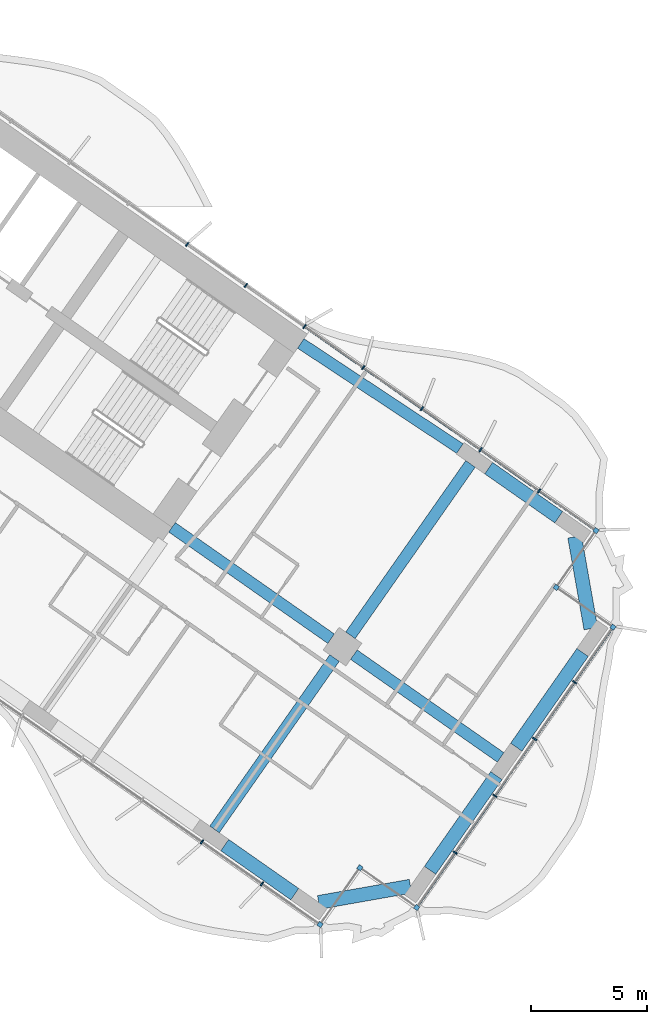
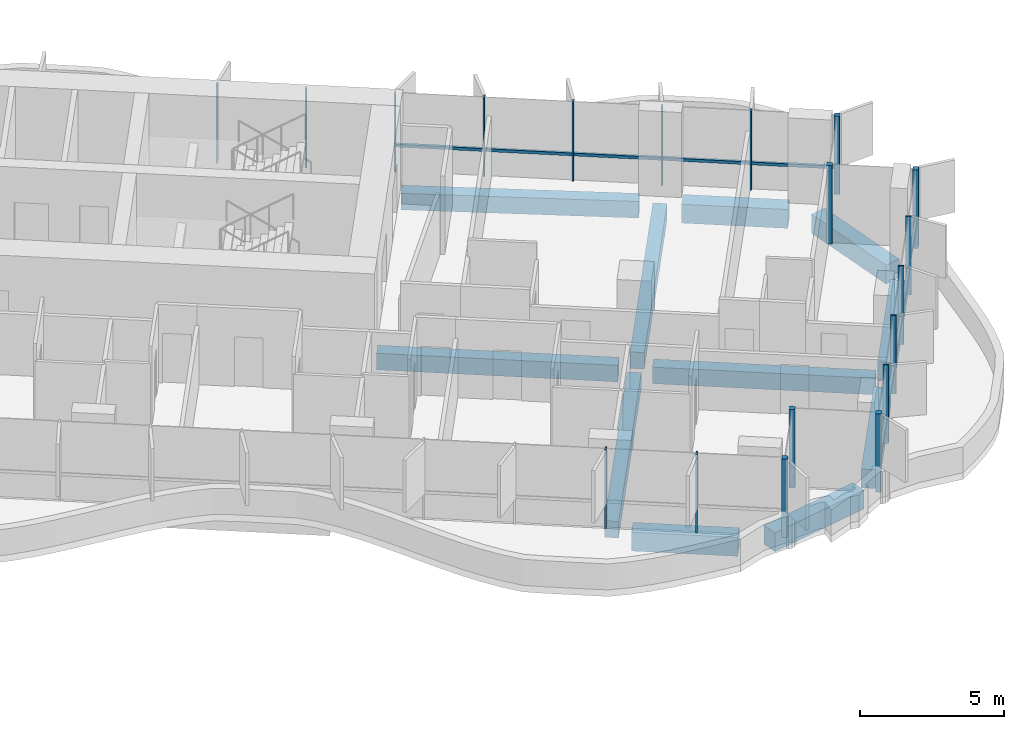
# One storey, part 9 of 25: 21 members, 11 beams, 2 elements without a shape of their own.
"""IFC4 building model written with IfcOpenShell, lengths in metres."""

from ifc_helpers import new_model, si_unit, direction, frame, origin, origin_2d, place, context, subcontext, project, spatial, rectangle, extrude, material, material_profile, profile_set, type_object, element, aggregate, save


model = new_model("IFC4")

# Units and contexts
model_context = context("Model", 3, precision=1e-05, world=origin(), true_north=direction((0.0, 1.0)))
body_context = subcontext(model_context, "Body", "Model", "MODEL_VIEW")
ifc_project = project(units=[si_unit("LENGTHUNIT", "METRE"), si_unit("AREAUNIT", "SQUARE_METRE"), si_unit("VOLUMEUNIT", "CUBIC_METRE"), si_unit("PLANEANGLEUNIT", "RADIAN"), si_unit("MASSUNIT", "GRAM", prefix="KILO")], contexts=[model_context])

# Site, building, storey
site_placement = place(None, origin())
site = spatial("IfcSite", under=ifc_project, at=site_placement, CompositionType="ELEMENT")
building_placement = place(site_placement, origin())
building = spatial("IfcBuilding", under=site, at=building_placement, Name="Tel Ilan Convention Tower", CompositionType="ELEMENT")
storey_placement = place(building_placement, frame((0.0, 0.0, 97.699951171875)))
storey = spatial("IfcBuildingStorey", under=building, at=storey_placement, Name="L20", CompositionType="ELEMENT", Elevation=97.699951171875)

# Beams
ifc_material_1 = material(Name="Concrete C40/50", Category="concrete")
ifc_material_profile_1 = material_profile(ifc_material_1, rectangle(XDim=0.5, YDim=0.699951171875, at=origin_2d()), Name="RC 500x700")
ifc_profile_set_1 = profile_set([ifc_material_profile_1], Name="Concrete C40/50")
beam_type_1 = type_object("IfcBeamType", Name="Beam RC 500x700 Concrete C40/50", PredefinedType="BEAM", material=ifc_profile_set_1)
beam_1_placement = place(storey_placement, frame((34.570556640625, -12.08447265625, -0.6298828125), z_axis=(-0.834273603487, 0.551350663847, 0.0), x_axis=(-0.551350663847, -0.834273603487, 0.0)))
element("IfcBeam", 1, at=beam_1_placement, inside=storey, type_object=beam_type_1, Name="L20 beam E-E-B4-core", PredefinedType="BEAM", context=body_context, shape_type="SweptSolid", body=[
    extrude(rectangle(XDim=0.5, YDim=0.699951171875, at=origin_2d()), origin(), (0.0, 0.0, 1.0), 8.2529296875),
])
beam_2_placement = place(storey_placement, frame((22.1171875, -15.486572265625, -0.6298828125), z_axis=(0.819147254605, -0.573583276668, 0.0), x_axis=(0.573583276668, 0.819147254605, 0.0)))
element("IfcBeam", 2, at=beam_2_placement, inside=storey, type_object=beam_type_1, Name="L20 beam E-core-E-M4", PredefinedType="BEAM", context=body_context, shape_type="SweptSolid", body=[
    extrude(rectangle(XDim=0.5, YDim=0.699951171875, at=origin_2d()), origin(), (0.0, 0.0, 1.0), 8.400146484375),
])
beam_3_placement = place(storey_placement, frame((29.98095703125, -20.992919921875, -0.6298828125), z_axis=(0.819159394801, -0.573565938589, 0.0), x_axis=(0.573565938589, 0.819159394801, 0.0)))
element("IfcBeam", 3, at=beam_3_placement, inside=storey, type_object=beam_type_1, Name="L20 beam E-E-M4-end", PredefinedType="BEAM", context=body_context, shape_type="SweptSolid", body=[
    extrude(rectangle(XDim=0.5, YDim=0.699951171875, at=origin_2d()), origin(), (0.0, 0.0, 1.0), 7.75),
])
for number, where, z_axis, x_axis, name in (
    (4, (29.145263671875, -21.14013671875, -0.6298828125), (-0.573549245583, -0.819171082798, 0.0), (0.819171082798, -0.573549245583, 0.0), "L20 beam E-E-M4-E-F4"),
    (5, (29.83349609375, -20.1572265625, -0.6298828125), (0.57358002233, 0.819149533348, 0.0), (-0.819149533348, 0.57358002233, 0.0), "L20 beam E-E-M4-E-B4"),
):
    element("IfcBeam", number, at=place(storey_placement, frame(where, z_axis=z_axis, x_axis=x_axis)), inside=storey, type_object=beam_type_1, Name=name, PredefinedType="BEAM", context=body_context, shape_type="SweptSolid", body=[
        extrude(rectangle(XDim=0.5, YDim=0.699951171875, at=origin_2d()), origin(), (0.0, 0.0, 1.0), 9.050048828125),
    ])
ifc_material_2 = material(Name="Concrete C40/50", Category="concrete")
ifc_material_profile_2 = material_profile(ifc_material_2, rectangle(XDim=0.60009765625, YDim=0.800048828125, at=origin_2d()), Name="RC 600x800")
ifc_profile_set_2 = profile_set([ifc_material_profile_2], Name="Concrete C40/50")
beam_type_2 = type_object("IfcBeamType", Name="Beam RC 600x800 Concrete C40/50", PredefinedType="BEAM", material=ifc_profile_set_2)
beam_4_placement = place(storey_placement, frame((24.396728515625, -29.2294921875, -0.679931640625), z_axis=(0.819132709951, -0.573604047656, 0.0), x_axis=(0.573604047656, 0.819132709951, 0.0)))
element("IfcBeam", 6, at=beam_4_placement, inside=storey, type_object=beam_type_2, Name="L20 beam E-E-F4-E-FC", PredefinedType="BEAM", context=body_context, shape_type="SweptSolid", body=[
    extrude(rectangle(XDim=0.60009765625, YDim=0.800048828125, at=origin_2d()), origin(), (0.0, 0.0, 1.0), 3.699951171875),
])
beam_5_placement = place(storey_placement, frame((28.459716796875, -31.708251953125, -0.679931640625), z_axis=(0.984806721117, 0.173654029734, 0.0), x_axis=(-0.173654029734, 0.984806721117, 0.0)))
element("IfcBeam", 7, at=beam_5_placement, inside=storey, type_object=beam_type_2, Name="L20 beam E-E-FC-E-E1", PredefinedType="BEAM", context=body_context, shape_type="SweptSolid", body=[
    extrude(rectangle(XDim=0.60009765625, YDim=0.800048828125, at=origin_2d()), origin(), (0.0, 0.0, 1.0), 4.03076171875),
])
for number, where, z_axis, x_axis, name in (
    (8, (33.277099609375, -30.3203125, -0.679931640625), (0.573586866468, 0.819144740944, 0.0), (-0.819144740944, 0.573586866468, 0.0), "L20 beam E-E-E1-E-E2"),
    (9, (37.00537109375, -24.995849609375, -0.679931640625), (0.573586866468, 0.819144740944, 0.0), (-0.819144740944, 0.573586866468, 0.0), "L20 beam E-E-E2-E-E3"),
):
    element("IfcBeam", number, at=place(storey_placement, frame(where, z_axis=z_axis, x_axis=x_axis)), inside=storey, type_object=beam_type_2, Name=name, PredefinedType="BEAM", context=body_context, shape_type="SweptSolid", body=[
        extrude(rectangle(XDim=0.60009765625, YDim=0.800048828125, at=origin_2d()), origin(), (0.0, 0.0, 1.0), 5.0),
    ])
beam_6_placement = place(storey_placement, frame((40.229736328125, -19.867919921875, -0.679931640625), z_axis=(-0.173664388751, 0.984804894423, 0.0), x_axis=(-0.984804894423, -0.173664388751, 0.0)))
element("IfcBeam", 10, at=beam_6_placement, inside=storey, type_object=beam_type_2, Name="L20 beam E-E-E3-E-BC", PredefinedType="BEAM", context=body_context, shape_type="SweptSolid", body=[
    extrude(rectangle(XDim=0.60009765625, YDim=0.800048828125, at=origin_2d()), origin(), (0.0, 0.0, 1.0), 4.030517578125),
])
beam_7_placement = place(storey_placement, frame((38.841796875, -15.050537109375, -0.679931640625), z_axis=(-0.819185419371, 0.573528768842, 0.0), x_axis=(-0.573528768842, -0.819185419371, 0.0)))
element("IfcBeam", 11, at=beam_7_placement, inside=storey, type_object=beam_type_2, Name="L20 beam E-E-BC-E-B4", PredefinedType="BEAM", context=body_context, shape_type="SweptSolid", body=[
    extrude(rectangle(XDim=0.60009765625, YDim=0.800048828125, at=origin_2d()), origin(), (0.0, 0.0, 1.0), 3.699951171875),
])

# Curtain wall, members
ifc_material_3 = material(Name="Aluminium, bronze anodised", Category="aluminium")
curtain_wall_type_1 = type_object("IfcCurtainWallType", Name="CW1 UNITISED CURTAIN WALL, HOTEL TINTED GLASS", PredefinedType="NOTDEFINED", material=ifc_material_3)
curtain_wall_1_placement = place(storey_placement, origin())
curtain_wall_1 = element("IfcCurtainWall", 12, at=curtain_wall_1_placement, inside=storey, type_object=curtain_wall_type_1, Name="Curtain wall CW1-18.06", PredefinedType="NOTDEFINED")
ifc_material_4 = material(Name="Aluminium, bronze anodised", Category="aluminium")
ifc_material_profile_3 = material_profile(ifc_material_4, rectangle(XDim=0.199951171875, YDim=0.199951171875, at=origin_2d()), Name="CW CORNER MULLION 200x200")
ifc_profile_set_3 = profile_set([ifc_material_profile_3], Name="Aluminium, bronze anodised")
member_type_1 = type_object("IfcMemberType", Name="CW CORNER MULLION 200x200", PredefinedType="MULLION", material=ifc_profile_set_3)
member_1_placement = place(storey_placement, frame((28.52099609375, -32.666748046875, 0.0), z_axis=(0.0, 0.0, 1.0), x_axis=(0.819152044289, -0.573576436351, 0.0)))
member_1 = element("IfcMember", 13, at=member_1_placement, type_object=member_type_1, Name="Corner mullion", PredefinedType="MULLION", context=body_context, shape_type="SweptSolid", body=[
    extrude(rectangle(XDim=0.199951171875, YDim=0.199951171875, at=origin_2d()), origin(), (0.0, 0.0, 1.0), 3.320068359375),
])
member_2_placement = place(storey_placement, frame((30.241943359375, -30.209228515625, 0.0), z_axis=(0.0, 0.0, 1.0), x_axis=(0.573576436351, 0.819152044289, 0.0)))
member_2 = element("IfcMember", 14, at=member_2_placement, type_object=member_type_1, Name="Corner mullion", PredefinedType="MULLION", context=body_context, shape_type="SweptSolid", body=[
    extrude(rectangle(XDim=0.199951171875, YDim=0.199951171875, at=origin_2d()), origin(), (0.0, 0.0, 1.0), 3.320068359375),
])
member_3_placement = place(storey_placement, frame((32.69921875, -31.929931640625, 0.0), z_axis=(0.0, 0.0, 1.0), x_axis=(0.819152044289, -0.573576436351, 0.0)))
member_3 = element("IfcMember", 15, at=member_3_placement, type_object=member_type_1, Name="Corner mullion", PredefinedType="MULLION", context=body_context, shape_type="SweptSolid", body=[
    extrude(rectangle(XDim=0.199951171875, YDim=0.199951171875, at=origin_2d()), origin(), (0.0, 0.0, 1.0), 3.320068359375),
])
member_4_placement = place(storey_placement, frame((41.188232421875, -19.806640625, 0.0), z_axis=(0.0, 0.0, 1.0), x_axis=(0.573576436351, 0.819152044289, 0.0)))
member_4 = element("IfcMember", 16, at=member_4_placement, type_object=member_type_1, Name="Corner mullion", PredefinedType="MULLION", context=body_context, shape_type="SweptSolid", body=[
    extrude(rectangle(XDim=0.199951171875, YDim=0.199951171875, at=origin_2d()), origin(), (0.0, 0.0, 1.0), 3.320068359375),
])
member_5_placement = place(storey_placement, frame((38.730712890625, -18.0859375, 0.0), z_axis=(0.0, 0.0, 1.0), x_axis=(-0.819152044289, 0.573576436351, 0.0)))
member_5 = element("IfcMember", 17, at=member_5_placement, type_object=member_type_1, Name="Corner mullion", PredefinedType="MULLION", context=body_context, shape_type="SweptSolid", body=[
    extrude(rectangle(XDim=0.199951171875, YDim=0.199951171875, at=origin_2d()), origin(), (0.0, 0.0, 1.0), 3.320068359375),
])
member_6_placement = place(storey_placement, frame((40.451416015625, -15.62841796875, 0.0), z_axis=(0.0, 0.0, 1.0), x_axis=(0.573576436351, 0.819152044289, 0.0)))
member_6 = element("IfcMember", 18, at=member_6_placement, type_object=member_type_1, Name="Corner mullion", PredefinedType="MULLION", context=body_context, shape_type="SweptSolid", body=[
    extrude(rectangle(XDim=0.199951171875, YDim=0.199951171875, at=origin_2d()), origin(), (0.0, 0.0, 1.0), 3.320068359375),
])

ifc_material_5 = material(Name="Aluminium, bronze anodised", Category="aluminium")
curtain_wall_type_2 = type_object("IfcCurtainWallType", Name="CW2 STICK CURTAIN WALL, SPANDREL PANELS", PredefinedType="NOTDEFINED", material=ifc_material_5)
curtain_wall_2_placement = place(storey_placement, origin())
curtain_wall_2 = element("IfcCurtainWall", 19, at=curtain_wall_2_placement, inside=storey, type_object=curtain_wall_type_2, Name="Curtain wall CW2-18.01", PredefinedType="NOTDEFINED")
ifc_material_6 = material(Name="Aluminium, bronze anodised", Category="aluminium")
ifc_material_profile_4 = material_profile(ifc_material_6, rectangle(XDim=0.06005859375, YDim=0.199951171875, at=origin_2d()), Name="CW MULLION 60x200")
ifc_profile_set_4 = profile_set([ifc_material_profile_4], Name="Aluminium, bronze anodised")
member_type_2 = type_object("IfcMemberType", Name="CW MULLION 60x200", PredefinedType="MULLION", material=ifc_profile_set_4)
member_7_placement = place(storey_placement, frame((27.848876953125, -6.803955078125, 0.0), z_axis=(0.0, 0.0, 1.0), x_axis=(-0.819152044289, 0.573576436351, 0.0)))
member_7 = element("IfcMember", 20, at=member_7_placement, type_object=member_type_2, Name="Mullion", PredefinedType="MULLION", context=body_context, shape_type="SweptSolid", body=[
    extrude(rectangle(XDim=0.06005859375, YDim=0.199951171875, at=origin_2d()), origin(), (0.0, 0.0, 1.0), 3.320068359375),
])
member_8_placement = place(storey_placement, frame((25.311767578125, -5.027587890625, 0.0), z_axis=(0.0, 0.0, 1.0), x_axis=(-0.819152044289, 0.573576436351, 0.0)))
member_8 = element("IfcMember", 21, at=member_8_placement, type_object=member_type_2, Name="Mullion", PredefinedType="MULLION", context=body_context, shape_type="SweptSolid", body=[
    extrude(rectangle(XDim=0.06005859375, YDim=0.199951171875, at=origin_2d()), origin(), (0.0, 0.0, 1.0), 3.320068359375),
])
member_9_placement = place(storey_placement, frame((22.77490234375, -3.251220703125, 0.0), z_axis=(0.0, 0.0, 1.0), x_axis=(-0.819152044289, 0.573576436351, 0.0)))
member_9 = element("IfcMember", 22, at=member_9_placement, type_object=member_type_2, Name="Mullion", PredefinedType="MULLION", context=body_context, shape_type="SweptSolid", body=[
    extrude(rectangle(XDim=0.06005859375, YDim=0.199951171875, at=origin_2d()), origin(), (0.0, 0.0, 1.0), 3.320068359375),
])
aggregate(curtain_wall_2, [member_7, member_8, member_9])

# Member
member_10_placement = place(storey_placement, frame((23.412841796875, -29.08984375, 0.0), z_axis=(0.0, 0.0, 1.0), x_axis=(0.819152044289, -0.573576436351, 0.0)))
member_10 = element("IfcMember", 23, at=member_10_placement, type_object=member_type_2, Name="Mullion", PredefinedType="MULLION", context=body_context, shape_type="SweptSolid", body=[
    extrude(rectangle(XDim=0.06005859375, YDim=0.199951171875, at=origin_2d()), origin(), (0.0, 0.0, 1.0), 3.320068359375),
])

member_11_placement = place(storey_placement, frame((26.008056640625, -30.906982421875, 0.0), z_axis=(0.0, 0.0, 1.0), x_axis=(0.819152044289, -0.573576436351, 0.0)))
member_11 = element("IfcMember", 24, at=member_11_placement, type_object=member_type_2, Name="Mullion", PredefinedType="MULLION", context=body_context, shape_type="SweptSolid", body=[
    extrude(rectangle(XDim=0.06005859375, YDim=0.199951171875, at=origin_2d()), origin(), (0.0, 0.0, 1.0), 3.320068359375),
])

member_12_placement = place(storey_placement, frame((34.362548828125, -29.554443359375, 0.0), z_axis=(0.0, 0.0, 1.0), x_axis=(0.573576436351, 0.819152044289, 0.0)))
member_12 = element("IfcMember", 25, at=member_12_placement, type_object=member_type_2, Name="Mullion", PredefinedType="MULLION", context=body_context, shape_type="SweptSolid", body=[
    extrude(rectangle(XDim=0.06005859375, YDim=0.199951171875, at=origin_2d()), origin(), (0.0, 0.0, 1.0), 3.320068359375),
])

member_13_placement = place(storey_placement, frame((36.08349609375, -27.096923828125, 0.0), z_axis=(0.0, 0.0, 1.0), x_axis=(0.573576436351, 0.819152044289, 0.0)))
member_13 = element("IfcMember", 26, at=member_13_placement, type_object=member_type_2, Name="Mullion", PredefinedType="MULLION", context=body_context, shape_type="SweptSolid", body=[
    extrude(rectangle(XDim=0.06005859375, YDim=0.199951171875, at=origin_2d()), origin(), (0.0, 0.0, 1.0), 3.320068359375),
])

member_14_placement = place(storey_placement, frame((37.80419921875, -24.6396484375, 0.0), z_axis=(0.0, 0.0, 1.0), x_axis=(0.573576436351, 0.819152044289, 0.0)))
member_14 = element("IfcMember", 27, at=member_14_placement, type_object=member_type_2, Name="Mullion", PredefinedType="MULLION", context=body_context, shape_type="SweptSolid", body=[
    extrude(rectangle(XDim=0.06005859375, YDim=0.199951171875, at=origin_2d()), origin(), (0.0, 0.0, 1.0), 3.320068359375),
])

member_15_placement = place(storey_placement, frame((39.52490234375, -22.18212890625, 0.0), z_axis=(0.0, 0.0, 1.0), x_axis=(0.573576436351, 0.819152044289, 0.0)))
member_15 = element("IfcMember", 28, at=member_15_placement, type_object=member_type_2, Name="Mullion", PredefinedType="MULLION", context=body_context, shape_type="SweptSolid", body=[
    extrude(rectangle(XDim=0.06005859375, YDim=0.199951171875, at=origin_2d()), origin(), (0.0, 0.0, 1.0), 3.320068359375),
])

member_16_placement = place(storey_placement, frame((37.99658203125, -13.909423828125, 0.0), z_axis=(0.0, 0.0, 1.0), x_axis=(-0.819152044289, 0.573576436351, 0.0)))
member_16 = element("IfcMember", 29, at=member_16_placement, type_object=member_type_2, Name="Mullion", PredefinedType="MULLION", context=body_context, shape_type="SweptSolid", body=[
    extrude(rectangle(XDim=0.06005859375, YDim=0.199951171875, at=origin_2d()), origin(), (0.0, 0.0, 1.0), 3.320068359375),
])

member_17_placement = place(storey_placement, frame((35.45947265625, -12.133056640625, 0.0), z_axis=(0.0, 0.0, 1.0), x_axis=(-0.819152044289, 0.573576436351, 0.0)))
member_17 = element("IfcMember", 30, at=member_17_placement, type_object=member_type_2, Name="Mullion", PredefinedType="MULLION", context=body_context, shape_type="SweptSolid", body=[
    extrude(rectangle(XDim=0.06005859375, YDim=0.199951171875, at=origin_2d()), origin(), (0.0, 0.0, 1.0), 3.320068359375),
])

member_18_placement = place(storey_placement, frame((32.922607421875, -10.356689453125, 0.0), z_axis=(0.0, 0.0, 1.0), x_axis=(-0.819152044289, 0.573576436351, 0.0)))
member_18 = element("IfcMember", 31, at=member_18_placement, type_object=member_type_2, Name="Mullion", PredefinedType="MULLION", context=body_context, shape_type="SweptSolid", body=[
    extrude(rectangle(XDim=0.06005859375, YDim=0.199951171875, at=origin_2d()), origin(), (0.0, 0.0, 1.0), 3.320068359375),
])

member_19_placement = place(storey_placement, frame((30.3857421875, -8.580322265625, 0.0), z_axis=(0.0, 0.0, 1.0), x_axis=(-0.819152044289, 0.573576436351, 0.0)))
member_19 = element("IfcMember", 32, at=member_19_placement, type_object=member_type_2, Name="Mullion", PredefinedType="MULLION", context=body_context, shape_type="SweptSolid", body=[
    extrude(rectangle(XDim=0.06005859375, YDim=0.199951171875, at=origin_2d()), origin(), (0.0, 0.0, 1.0), 3.320068359375),
])

ifc_material_7 = material(Name="Aluminium, bronze anodised", Category="aluminium")
ifc_material_profile_5 = material_profile(ifc_material_7, rectangle(XDim=0.10009765625, YDim=0.1201171875, at=origin_2d()), Name="CW TRANSOM 100x120")
ifc_profile_set_5 = profile_set([ifc_material_profile_5], Name="Aluminium, bronze anodised")
member_type_3 = type_object("IfcMemberType", Name="CW TRANSOM 100x120", PredefinedType="USERDEFINED", material=ifc_profile_set_5)
member_20_placement = place(storey_placement, frame((32.756591796875, -31.84814453125, 1.10009765625), z_axis=(0.573575688231, 0.819152568128, 0.0), x_axis=(-0.819152568128, 0.573575688231, 0.0)))
member_20 = element("IfcMember", 33, at=member_20_placement, type_object=member_type_3, Name="Transom", ObjectType="TRANSOM", PredefinedType="USERDEFINED", context=body_context, shape_type="SweptSolid", body=[
    extrude(rectangle(XDim=0.10009765625, YDim=0.1201171875, at=origin_2d()), origin(), (0.0, 0.0, 1.0), 14.60009765625),
])

member_21_placement = place(storey_placement, frame((40.36962890625, -15.571044921875, 1.10009765625), z_axis=(-0.819152967985, 0.573575117174, 0.0), x_axis=(-0.573575117174, -0.819152967985, 0.0)))
member_21 = element("IfcMember", 34, at=member_21_placement, type_object=member_type_3, Name="Transom", ObjectType="TRANSOM", PredefinedType="USERDEFINED", context=body_context, shape_type="SweptSolid", body=[
    extrude(rectangle(XDim=0.10009765625, YDim=0.1201171875, at=origin_2d()), origin(), (0.0, 0.0, 1.0), 15.255126953125),
])

aggregate(curtain_wall_1, [member_10, member_11, member_1, member_2, member_3, member_12, member_13, member_14, member_15, member_4, member_20, member_5, member_6, member_16, member_17, member_18, member_19, member_21])

save(model, "model.ifc")
